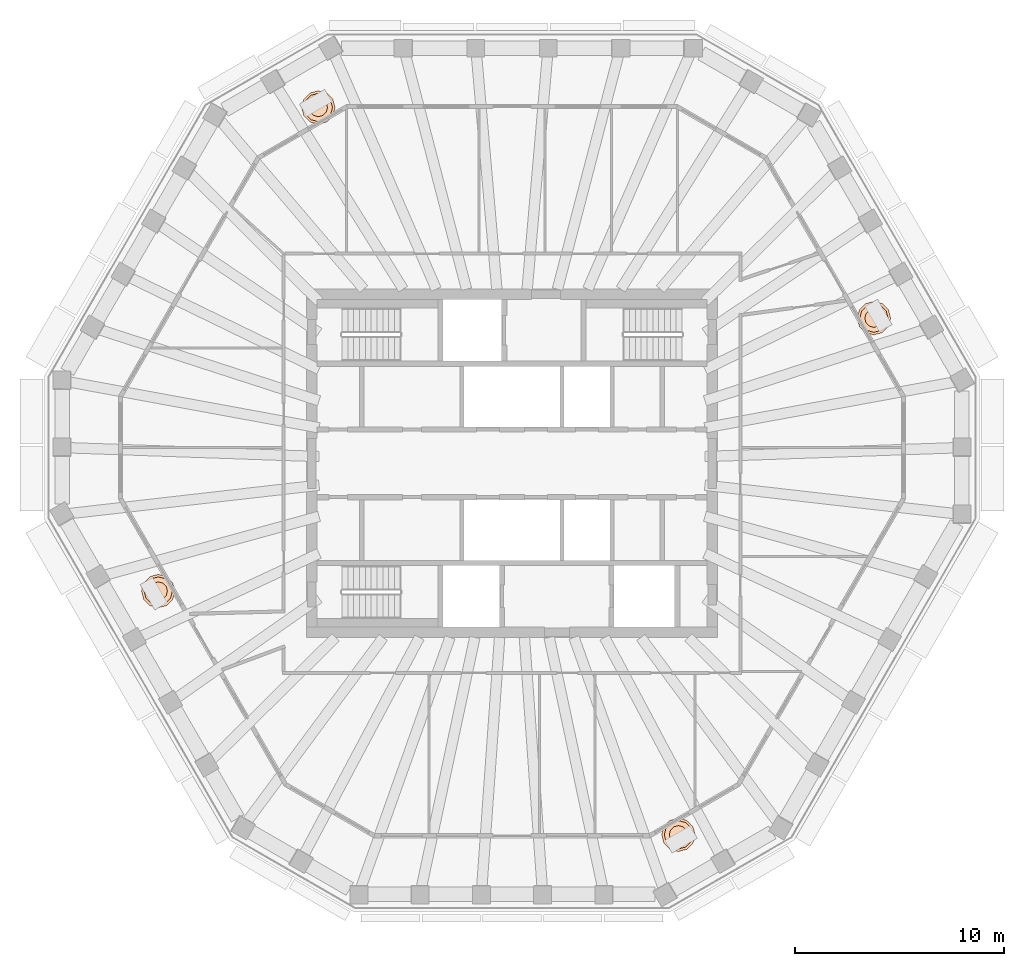
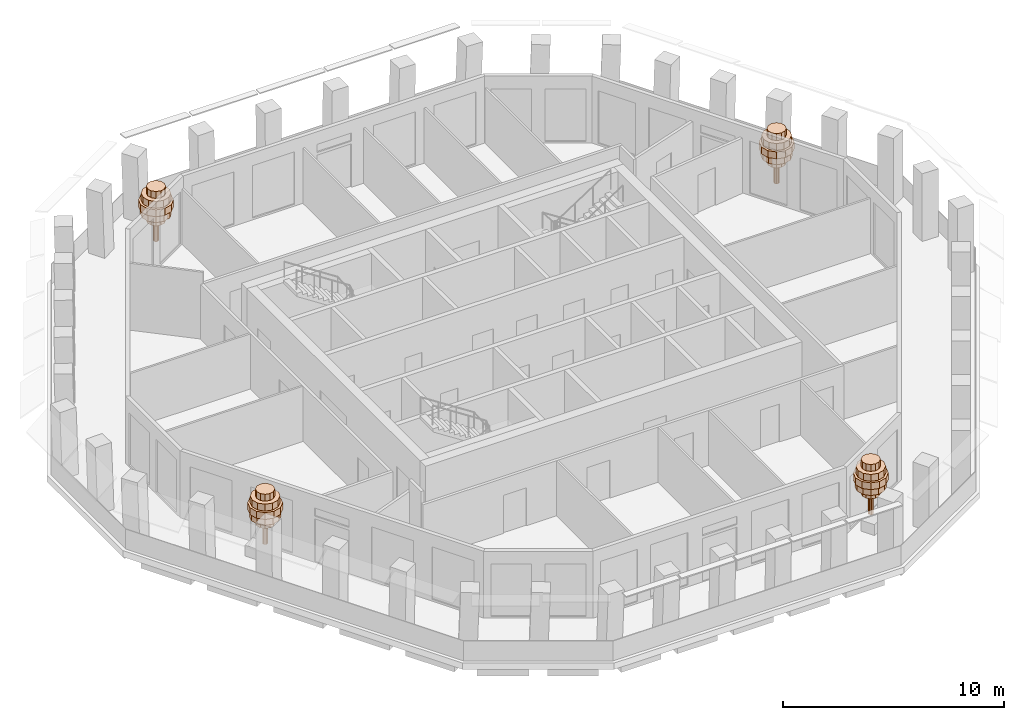
# One storey, part 11 of 11: 4 geographic elements.
"""IFC4 building model written with IfcOpenShell, lengths in metres."""

import ifcopenshell
import ifcopenshell.guid

model = None  # the IFC model being written
_history = None  # IfcOwnerHistory: only IFC2X3 demands one
_inside = {}  # id of a spatial element -> (the spatial element, [elements in it])
_under = {}  # id of a project, library or spatial element -> (it, [spatial elements below it])
_declared = {}  # id of a project -> (the project, [libraries it declares])
_typed = {}  # id of a type object -> (the type object, [elements of that type])
_made_of = {}  # id of a material, layer set ... -> (it, [elements and type objects made of it])


def new_model(schema):
    """Start an empty IFC model of exactly this schema.

    Asked for "IFC4X3", IfcOpenShell would pick the latest addendum, in which some entities
    have other attributes; the version numbers below select the first issue.
    IFC2X3 requires an IfcOwnerHistory on every rooted entity: one is made here for all.
    """
    global model, _history
    if schema == "IFC4X3":
        model = ifcopenshell.file(schema_version=(4, 3, 0, 0))
    else:
        model = ifcopenshell.file(schema=schema)
    _inside.clear()
    _under.clear()
    _declared.clear()
    _typed.clear()
    _made_of.clear()
    _history = None
    if model.schema == "IFC2X3":
        org = make("IfcOrganization", Name="unknown")
        user = make(
            "IfcPersonAndOrganization",
            ThePerson=make("IfcPerson", FamilyName="unknown"),
            TheOrganization=org,
        )
        app = make(
            "IfcApplication",
            ApplicationDeveloper=org,
            Version="unknown",
            ApplicationFullName="unknown",
            ApplicationIdentifier="unknown",
        )
        _history = make(
            "IfcOwnerHistory",
            OwningUser=user,
            OwningApplication=app,
            ChangeAction="ADDED",
            CreationDate=0,
        )
    return model


def make(cls, **values):
    """One entity of the class cls with the attributes given. An attribute that is None is left unset."""
    return model.create_entity(
        cls, **{name: value for name, value in values.items() if value is not None}
    )


def rooted(cls, **values):
    """An entity with a GlobalId (a new one), such as an element, a storey or a relation."""
    return make(cls, GlobalId=ifcopenshell.guid.new(), OwnerHistory=_history, **values)


def si_unit(unit_type, name, prefix=None):
    """IfcSIUnit, for example si_unit("LENGTHUNIT", "METRE", prefix="MILLI")."""
    return make("IfcSIUnit", UnitType=unit_type, Prefix=prefix, Name=name)


def assignment(units):
    """IfcUnitAssignment: the units of a project."""
    return None if units is None else make("IfcUnitAssignment", Units=units)


def point(xyz):
    """IfcCartesianPoint."""
    return None if xyz is None else make("IfcCartesianPoint", Coordinates=xyz)


def direction(xyz):
    """IfcDirection."""
    return None if xyz is None else make("IfcDirection", DirectionRatios=xyz)


def frame(location, z_axis=None, x_axis=None):
    """IfcAxis2Placement3D, a coordinate frame: its origin and axes. An axis left out is left unset."""
    return make(
        "IfcAxis2Placement3D",
        Location=point(location),
        Axis=direction(z_axis),
        RefDirection=direction(x_axis),
    )


def origin():
    """The frame at (0, 0, 0) with its axes left unset."""
    return frame((0.0, 0.0, 0.0))


def place(relative_to, where):
    """IfcLocalPlacement: puts the frame where relative to a parent placement (None: the world)."""
    return make(
        "IfcLocalPlacement", PlacementRelTo=relative_to, RelativePlacement=where
    )


def context(
    kind, dimensions, precision=None, world=None, true_north=None, identifier=None
):
    """IfcGeometricRepresentationContext, for example the 3D "Model" context."""
    return make(
        "IfcGeometricRepresentationContext",
        ContextIdentifier=identifier,
        ContextType=kind,
        CoordinateSpaceDimension=dimensions,
        Precision=precision,
        WorldCoordinateSystem=world,
        TrueNorth=true_north,
    )


def subcontext(parent, identifier, kind, view, scale=None):
    """IfcGeometricRepresentationSubContext, for example "Body" below "Model"."""
    return make(
        "IfcGeometricRepresentationSubContext",
        ContextIdentifier=identifier,
        ContextType=kind,
        ParentContext=parent,
        TargetScale=scale,
        TargetView=view,
    )


def project(units=None, contexts=None):
    """IfcProject with its units and contexts."""
    return rooted(
        "IfcProject",
        Name="project",
        RepresentationContexts=contexts,
        UnitsInContext=assignment(units),
    )


def spatial(cls, under=None, at=None, **own):
    """A site, building, storey or space (cls), placed at a placement, below another one or the project."""
    s = rooted(cls, ObjectPlacement=at, **own)
    if under is not None:
        _under.setdefault(under.id(), (under, []))[1].append(s)
    return s


def polyline(points):
    """IfcPolyline through the points."""
    return make("IfcPolyline", Points=[point(p) for p in points])


def outline(outer, holes=None, kind="AREA"):
    """IfcArbitraryClosedProfileDef: a profile drawn as a closed curve; with holes, ...WithVoids."""
    if holes is None:
        return make("IfcArbitraryClosedProfileDef", ProfileType=kind, OuterCurve=outer)
    return make(
        "IfcArbitraryProfileDefWithVoids",
        ProfileType=kind,
        OuterCurve=outer,
        InnerCurves=holes,
    )


def extrude(swept, where, along, depth):
    """IfcExtrudedAreaSolid: the profile swept, set in the frame where, extruded along a direction by depth."""
    return make(
        "IfcExtrudedAreaSolid",
        SweptArea=swept,
        Position=where,
        ExtrudedDirection=direction(along),
        Depth=depth,
    )


def shape(context_of_items, identifier, shape_type, items):
    """IfcShapeRepresentation: the items that make up one representation, for example the "Body"."""
    return make(
        "IfcShapeRepresentation",
        ContextOfItems=context_of_items,
        RepresentationIdentifier=identifier,
        RepresentationType=shape_type,
        Items=items,
    )


def material(Name=None, Category=None):
    """IfcMaterial."""
    return make("IfcMaterial", Name=Name, Category=Category)


def made_of(thing, what):
    """Note that an element or type object is made of a material, layer set ...; save() writes the relation."""
    if what is not None:
        _made_of.setdefault(what.id(), (what, []))[1].append(thing)
    return thing


def type_object(cls, material=None, **own):
    """A type object (cls), such as IfcWallType, which elements share."""
    return made_of(rooted(cls, **own), material)


def element(
    cls,
    number,
    at=None,
    inside=None,
    cuts=None,
    type_object=None,
    material=None,
    context=None,
    identifier="Body",
    shape_type=None,
    held_by="IfcProductDefinitionShape",
    body=None,
    shapes=None,
    **own,
):
    """One element of the class cls, such as IfcWall. Its Tag is "e" and its number.

    at: its placement. inside: the storey or other place that contains it. cuts: it is an
    opening in that element (IfcRelVoidsElement). A single representation is given by context,
    identifier, shape_type and body (its items); several are given by shapes. held_by: the class
    of the entity that holds the representations. save() writes the other relations.
    """
    e = rooted(cls, Tag="e%d" % number, ObjectPlacement=at, **own)
    if body is not None:
        shapes = [shape(context, identifier, shape_type, body)]
    if shapes is not None:
        e.Representation = make(held_by, Representations=shapes)
    if inside is not None:
        _inside.setdefault(inside.id(), (inside, []))[1].append(e)
    if cuts is not None:
        rooted(
            "IfcRelVoidsElement", RelatingBuildingElement=cuts, RelatedOpeningElement=e
        )
    if type_object is not None:
        _typed.setdefault(type_object.id(), (type_object, []))[1].append(e)
    return made_of(e, material)


def aggregate(whole, parts):
    """IfcRelAggregates: a whole, such as a stair, and the parts it consists of."""
    return rooted("IfcRelAggregates", RelatingObject=whole, RelatedObjects=parts)


def save(model, path):
    """Write the relations noted so far, then the file.

    IfcRelAggregates (storeys below a building ...), IfcRelContainedInSpatialStructure (elements
    in a storey), IfcRelDefinesByType, IfcRelAssociatesMaterial and IfcRelDeclares: one each for
    every whole, place, type object, material and project.
    """
    for whole, parts in _under.values():
        aggregate(whole, parts)
    for where, things in _inside.values():
        rooted(
            "IfcRelContainedInSpatialStructure",
            RelatedElements=things,
            RelatingStructure=where,
        )
    for kind, things in _typed.values():
        rooted("IfcRelDefinesByType", RelatedObjects=things, RelatingType=kind)
    for what, things in _made_of.values():
        rooted("IfcRelAssociatesMaterial", RelatedObjects=things, RelatingMaterial=what)
    for by, libraries in _declared.values():
        rooted("IfcRelDeclares", RelatingContext=by, RelatedDefinitions=libraries)
    model.write(path)


model = new_model("IFC4")

# Units and contexts
model_context = context("Model", 3, precision=1e-05, world=origin(), true_north=direction((0.0, 1.0)))
body_context = subcontext(model_context, "Body", "Model", "MODEL_VIEW")
ifc_project = project(units=[si_unit("LENGTHUNIT", "METRE"), si_unit("AREAUNIT", "SQUARE_METRE"), si_unit("VOLUMEUNIT", "CUBIC_METRE"), si_unit("PLANEANGLEUNIT", "RADIAN"), si_unit("MASSUNIT", "GRAM", prefix="KILO")], contexts=[model_context])

# Site, building, storey
site_placement = place(None, origin())
site = spatial("IfcSite", under=ifc_project, at=site_placement, CompositionType="ELEMENT")
building_placement = place(site_placement, origin())
building = spatial("IfcBuilding", under=site, at=building_placement, Name="Frailejon Research Tower", CompositionType="ELEMENT")
storey_placement = place(building_placement, frame((0.0, 0.0, 332.60009765625)))
storey = spatial("IfcBuildingStorey", under=building, at=storey_placement, Name="L74", CompositionType="ELEMENT", Elevation=332.60009765625)

# Geographic elements
ifc_material = material(Name="Foliage, green")
geographic_element_type = type_object("IfcGeographicElementType", Name="Frailejon tree, loggia", PredefinedType="USERDEFINED", material=ifc_material)
geographic_element_1_placement = place(storey_placement, frame((17.350830078125, 6.9560546875, 0.599853515625)))
element("IfcGeographicElement", 1, at=geographic_element_1_placement, inside=storey, type_object=geographic_element_type, Name="Tree L74", ObjectType="TREE", PredefinedType="USERDEFINED", context=body_context, shape_type="SweptSolid", body=[
    extrude(outline(polyline([(0.1298828125, 0.0), (0.112548828125, 0.06494140625), (0.06494140625, 0.112548828125), (0.0, 0.1298828125), (-0.06494140625, 0.112548828125), (-0.112548828125, 0.06494140625), (-0.1298828125, 0.0), (-0.112548828125, -0.06494140625), (-0.06494140625, -0.112548828125), (0.0, -0.1298828125), (0.06494140625, -0.112548828125), (0.112548828125, -0.06494140625), (0.1298828125, 0.0)])), origin(), (0.0, 0.0, 1.0), 2.239990234375),
    extrude(outline(polyline([(0.43994140625, 0.0), (0.381103515625, 0.219970703125), (0.219970703125, 0.381103515625), (0.0, 0.43994140625), (-0.219970703125, 0.381103515625), (-0.381103515625, 0.219970703125), (-0.43994140625, 0.0), (-0.381103515625, -0.219970703125), (-0.219970703125, -0.381103515625), (0.0, -0.43994140625), (0.219970703125, -0.381103515625), (0.381103515625, -0.219970703125), (0.43994140625, 0.0)])), frame((0.0, 0.0, 1.10009765625)), (0.0, 0.0, 1.0), 0.3798828125),
    extrude(outline(polyline([(0.719970703125, 0.0), (0.62353515625, 0.360107421875), (0.360107421875, 0.62353515625), (0.0, 0.719970703125), (-0.360107421875, 0.62353515625), (-0.62353515625, 0.360107421875), (-0.719970703125, 0.0), (-0.62353515625, -0.360107421875), (-0.360107421875, -0.62353515625), (0.0, -0.719970703125), (0.360107421875, -0.62353515625), (0.62353515625, -0.360107421875), (0.719970703125, 0.0)])), frame((0.0, 0.0, 1.47998046875)), (0.0, 0.0, 1.0), 0.3798828125),
    extrude(outline(polyline([(0.800048828125, 0.0), (0.69287109375, 0.39990234375), (0.39990234375, 0.69287109375), (0.0, 0.800048828125), (-0.39990234375, 0.69287109375), (-0.69287109375, 0.39990234375), (-0.800048828125, 0.0), (-0.69287109375, -0.39990234375), (-0.39990234375, -0.69287109375), (0.0, -0.800048828125), (0.39990234375, -0.69287109375), (0.69287109375, -0.39990234375), (0.800048828125, 0.0)])), frame((0.0, 0.0, 1.860107421875)), (0.0, 0.0, 1.0), 0.3798828125),
    extrude(outline(polyline([(0.679931640625, 0.0), (0.5888671875, 0.340087890625), (0.340087890625, 0.5888671875), (0.0, 0.679931640625), (-0.340087890625, 0.5888671875), (-0.5888671875, 0.340087890625), (-0.679931640625, 0.0), (-0.5888671875, -0.340087890625), (-0.340087890625, -0.5888671875), (0.0, -0.679931640625), (0.340087890625, -0.5888671875), (0.5888671875, -0.340087890625), (0.679931640625, 0.0)])), frame((0.0, 0.0, 2.239990234375)), (0.0, 0.0, 1.0), 0.3798828125),
    extrude(outline(polyline([(0.43994140625, 0.0), (0.381103515625, 0.219970703125), (0.219970703125, 0.381103515625), (0.0, 0.43994140625), (-0.219970703125, 0.381103515625), (-0.381103515625, 0.219970703125), (-0.43994140625, 0.0), (-0.381103515625, -0.219970703125), (-0.219970703125, -0.381103515625), (0.0, -0.43994140625), (0.219970703125, -0.381103515625), (0.381103515625, -0.219970703125), (0.43994140625, 0.0)])), frame((0.0, 0.0, 2.6201171875)), (0.0, 0.0, 1.0), 0.3798828125),
])
geographic_element_2_placement = place(storey_placement, frame((-9.28466796875, 17.0556640625, 0.599853515625)))
element("IfcGeographicElement", 2, at=geographic_element_2_placement, inside=storey, type_object=geographic_element_type, Name="Tree L74", ObjectType="TREE", PredefinedType="USERDEFINED", context=body_context, shape_type="SweptSolid", body=[
    extrude(outline(polyline([(0.1298828125, 0.0), (0.112548828125, 0.06494140625), (0.06494140625, 0.112548828125), (0.0, 0.1298828125), (-0.06494140625, 0.112548828125), (-0.112548828125, 0.06494140625), (-0.1298828125, 0.0), (-0.112548828125, -0.06494140625), (-0.06494140625, -0.112548828125), (0.0, -0.1298828125), (0.06494140625, -0.112548828125), (0.112548828125, -0.06494140625), (0.1298828125, 0.0)])), origin(), (0.0, 0.0, 1.0), 2.239990234375),
    extrude(outline(polyline([(0.43994140625, 0.0), (0.381103515625, 0.219970703125), (0.219970703125, 0.381103515625), (0.0, 0.43994140625), (-0.219970703125, 0.381103515625), (-0.381103515625, 0.219970703125), (-0.43994140625, 0.0), (-0.381103515625, -0.219970703125), (-0.219970703125, -0.381103515625), (0.0, -0.43994140625), (0.219970703125, -0.381103515625), (0.381103515625, -0.219970703125), (0.43994140625, 0.0)])), frame((0.0, 0.0, 1.10009765625)), (0.0, 0.0, 1.0), 0.3798828125),
    extrude(outline(polyline([(0.719970703125, 0.0), (0.62353515625, 0.360107421875), (0.360107421875, 0.62353515625), (0.0, 0.719970703125), (-0.360107421875, 0.62353515625), (-0.62353515625, 0.360107421875), (-0.719970703125, 0.0), (-0.62353515625, -0.360107421875), (-0.360107421875, -0.62353515625), (0.0, -0.719970703125), (0.360107421875, -0.62353515625), (0.62353515625, -0.360107421875), (0.719970703125, 0.0)])), frame((0.0, 0.0, 1.47998046875)), (0.0, 0.0, 1.0), 0.3798828125),
    extrude(outline(polyline([(0.800048828125, 0.0), (0.69287109375, 0.39990234375), (0.39990234375, 0.69287109375), (0.0, 0.800048828125), (-0.39990234375, 0.69287109375), (-0.69287109375, 0.39990234375), (-0.800048828125, 0.0), (-0.69287109375, -0.39990234375), (-0.39990234375, -0.69287109375), (0.0, -0.800048828125), (0.39990234375, -0.69287109375), (0.69287109375, -0.39990234375), (0.800048828125, 0.0)])), frame((0.0, 0.0, 1.860107421875)), (0.0, 0.0, 1.0), 0.3798828125),
    extrude(outline(polyline([(0.679931640625, 0.0), (0.5888671875, 0.340087890625), (0.340087890625, 0.5888671875), (0.0, 0.679931640625), (-0.340087890625, 0.5888671875), (-0.5888671875, 0.340087890625), (-0.679931640625, 0.0), (-0.5888671875, -0.340087890625), (-0.340087890625, -0.5888671875), (0.0, -0.679931640625), (0.340087890625, -0.5888671875), (0.5888671875, -0.340087890625), (0.679931640625, 0.0)])), frame((0.0, 0.0, 2.239990234375)), (0.0, 0.0, 1.0), 0.3798828125),
    extrude(outline(polyline([(0.43994140625, 0.0), (0.381103515625, 0.219970703125), (0.219970703125, 0.381103515625), (0.0, 0.43994140625), (-0.219970703125, 0.381103515625), (-0.381103515625, 0.219970703125), (-0.43994140625, 0.0), (-0.381103515625, -0.219970703125), (-0.219970703125, -0.381103515625), (0.0, -0.43994140625), (0.219970703125, -0.381103515625), (0.381103515625, -0.219970703125), (0.43994140625, 0.0)])), frame((0.0, 0.0, 2.6201171875)), (0.0, 0.0, 1.0), 0.3798828125),
])
geographic_element_3_placement = place(storey_placement, frame((-16.958984375, -6.12646484375, 0.599853515625)))
element("IfcGeographicElement", 3, at=geographic_element_3_placement, inside=storey, type_object=geographic_element_type, Name="Tree L74", ObjectType="TREE", PredefinedType="USERDEFINED", context=body_context, shape_type="SweptSolid", body=[
    extrude(outline(polyline([(0.1298828125, 0.0), (0.112548828125, 0.06494140625), (0.06494140625, 0.112548828125), (0.0, 0.1298828125), (-0.06494140625, 0.112548828125), (-0.112548828125, 0.06494140625), (-0.1298828125, 0.0), (-0.112548828125, -0.06494140625), (-0.06494140625, -0.112548828125), (0.0, -0.1298828125), (0.06494140625, -0.112548828125), (0.112548828125, -0.06494140625), (0.1298828125, 0.0)])), origin(), (0.0, 0.0, 1.0), 2.239990234375),
    extrude(outline(polyline([(0.43994140625, 0.0), (0.381103515625, 0.219970703125), (0.219970703125, 0.381103515625), (0.0, 0.43994140625), (-0.219970703125, 0.381103515625), (-0.381103515625, 0.219970703125), (-0.43994140625, 0.0), (-0.381103515625, -0.219970703125), (-0.219970703125, -0.381103515625), (0.0, -0.43994140625), (0.219970703125, -0.381103515625), (0.381103515625, -0.219970703125), (0.43994140625, 0.0)])), frame((0.0, 0.0, 1.10009765625)), (0.0, 0.0, 1.0), 0.3798828125),
    extrude(outline(polyline([(0.719970703125, 0.0), (0.62353515625, 0.360107421875), (0.360107421875, 0.62353515625), (0.0, 0.719970703125), (-0.360107421875, 0.62353515625), (-0.62353515625, 0.360107421875), (-0.719970703125, 0.0), (-0.62353515625, -0.360107421875), (-0.360107421875, -0.62353515625), (0.0, -0.719970703125), (0.360107421875, -0.62353515625), (0.62353515625, -0.360107421875), (0.719970703125, 0.0)])), frame((0.0, 0.0, 1.47998046875)), (0.0, 0.0, 1.0), 0.3798828125),
    extrude(outline(polyline([(0.800048828125, 0.0), (0.69287109375, 0.39990234375), (0.39990234375, 0.69287109375), (0.0, 0.800048828125), (-0.39990234375, 0.69287109375), (-0.69287109375, 0.39990234375), (-0.800048828125, 0.0), (-0.69287109375, -0.39990234375), (-0.39990234375, -0.69287109375), (0.0, -0.800048828125), (0.39990234375, -0.69287109375), (0.69287109375, -0.39990234375), (0.800048828125, 0.0)])), frame((0.0, 0.0, 1.860107421875)), (0.0, 0.0, 1.0), 0.3798828125),
    extrude(outline(polyline([(0.679931640625, 0.0), (0.5888671875, 0.340087890625), (0.340087890625, 0.5888671875), (0.0, 0.679931640625), (-0.340087890625, 0.5888671875), (-0.5888671875, 0.340087890625), (-0.679931640625, 0.0), (-0.5888671875, -0.340087890625), (-0.340087890625, -0.5888671875), (0.0, -0.679931640625), (0.340087890625, -0.5888671875), (0.5888671875, -0.340087890625), (0.679931640625, 0.0)])), frame((0.0, 0.0, 2.239990234375)), (0.0, 0.0, 1.0), 0.3798828125),
    extrude(outline(polyline([(0.43994140625, 0.0), (0.381103515625, 0.219970703125), (0.219970703125, 0.381103515625), (0.0, 0.43994140625), (-0.219970703125, 0.381103515625), (-0.381103515625, 0.219970703125), (-0.43994140625, 0.0), (-0.381103515625, -0.219970703125), (-0.219970703125, -0.381103515625), (0.0, -0.43994140625), (0.219970703125, -0.381103515625), (0.381103515625, -0.219970703125), (0.43994140625, 0.0)])), frame((0.0, 0.0, 2.6201171875)), (0.0, 0.0, 1.0), 0.3798828125),
])
geographic_element_4_placement = place(storey_placement, frame((7.978271484375, -17.809814453125, 0.599853515625)))
element("IfcGeographicElement", 4, at=geographic_element_4_placement, inside=storey, type_object=geographic_element_type, Name="Tree L74", ObjectType="TREE", PredefinedType="USERDEFINED", context=body_context, shape_type="SweptSolid", body=[
    extrude(outline(polyline([(0.1298828125, 0.0), (0.112548828125, 0.06494140625), (0.06494140625, 0.112548828125), (0.0, 0.1298828125), (-0.06494140625, 0.112548828125), (-0.112548828125, 0.06494140625), (-0.1298828125, 0.0), (-0.112548828125, -0.06494140625), (-0.06494140625, -0.112548828125), (0.0, -0.1298828125), (0.06494140625, -0.112548828125), (0.112548828125, -0.06494140625), (0.1298828125, 0.0)])), origin(), (0.0, 0.0, 1.0), 2.239990234375),
    extrude(outline(polyline([(0.43994140625, 0.0), (0.381103515625, 0.219970703125), (0.219970703125, 0.381103515625), (0.0, 0.43994140625), (-0.219970703125, 0.381103515625), (-0.381103515625, 0.219970703125), (-0.43994140625, 0.0), (-0.381103515625, -0.219970703125), (-0.219970703125, -0.381103515625), (0.0, -0.43994140625), (0.219970703125, -0.381103515625), (0.381103515625, -0.219970703125), (0.43994140625, 0.0)])), frame((0.0, 0.0, 1.10009765625)), (0.0, 0.0, 1.0), 0.3798828125),
    extrude(outline(polyline([(0.719970703125, 0.0), (0.62353515625, 0.360107421875), (0.360107421875, 0.62353515625), (0.0, 0.719970703125), (-0.360107421875, 0.62353515625), (-0.62353515625, 0.360107421875), (-0.719970703125, 0.0), (-0.62353515625, -0.360107421875), (-0.360107421875, -0.62353515625), (0.0, -0.719970703125), (0.360107421875, -0.62353515625), (0.62353515625, -0.360107421875), (0.719970703125, 0.0)])), frame((0.0, 0.0, 1.47998046875)), (0.0, 0.0, 1.0), 0.3798828125),
    extrude(outline(polyline([(0.800048828125, 0.0), (0.69287109375, 0.39990234375), (0.39990234375, 0.69287109375), (0.0, 0.800048828125), (-0.39990234375, 0.69287109375), (-0.69287109375, 0.39990234375), (-0.800048828125, 0.0), (-0.69287109375, -0.39990234375), (-0.39990234375, -0.69287109375), (0.0, -0.800048828125), (0.39990234375, -0.69287109375), (0.69287109375, -0.39990234375), (0.800048828125, 0.0)])), frame((0.0, 0.0, 1.860107421875)), (0.0, 0.0, 1.0), 0.3798828125),
    extrude(outline(polyline([(0.679931640625, 0.0), (0.5888671875, 0.340087890625), (0.340087890625, 0.5888671875), (0.0, 0.679931640625), (-0.340087890625, 0.5888671875), (-0.5888671875, 0.340087890625), (-0.679931640625, 0.0), (-0.5888671875, -0.340087890625), (-0.340087890625, -0.5888671875), (0.0, -0.679931640625), (0.340087890625, -0.5888671875), (0.5888671875, -0.340087890625), (0.679931640625, 0.0)])), frame((0.0, 0.0, 2.239990234375)), (0.0, 0.0, 1.0), 0.3798828125),
    extrude(outline(polyline([(0.43994140625, 0.0), (0.381103515625, 0.219970703125), (0.219970703125, 0.381103515625), (0.0, 0.43994140625), (-0.219970703125, 0.381103515625), (-0.381103515625, 0.219970703125), (-0.43994140625, 0.0), (-0.381103515625, -0.219970703125), (-0.219970703125, -0.381103515625), (0.0, -0.43994140625), (0.219970703125, -0.381103515625), (0.381103515625, -0.219970703125), (0.43994140625, 0.0)])), frame((0.0, 0.0, 2.6201171875)), (0.0, 0.0, 1.0), 0.3798828125),
])

save(model, "model.ifc")
